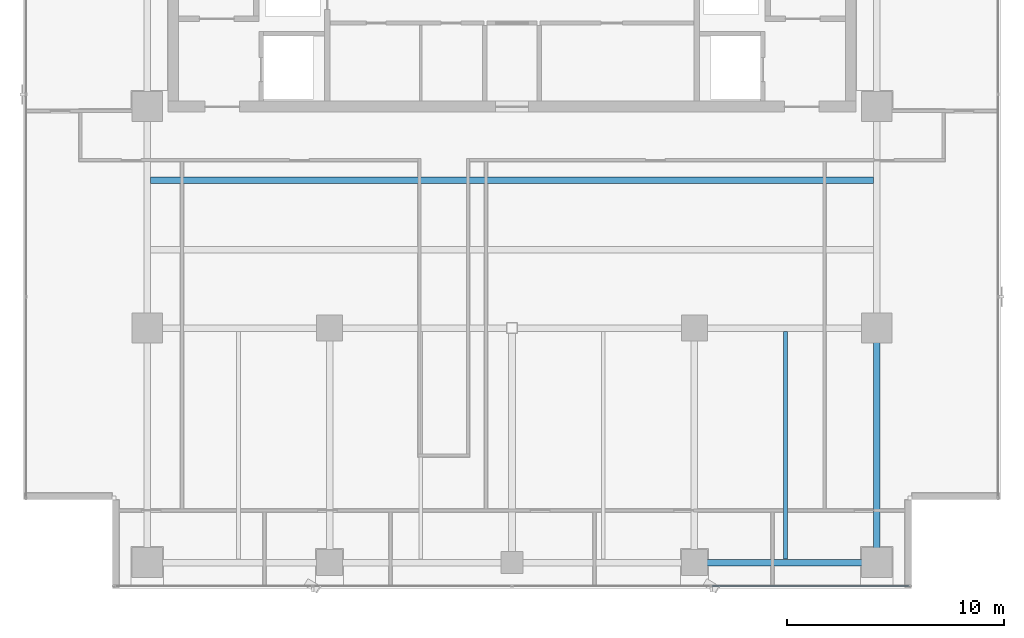
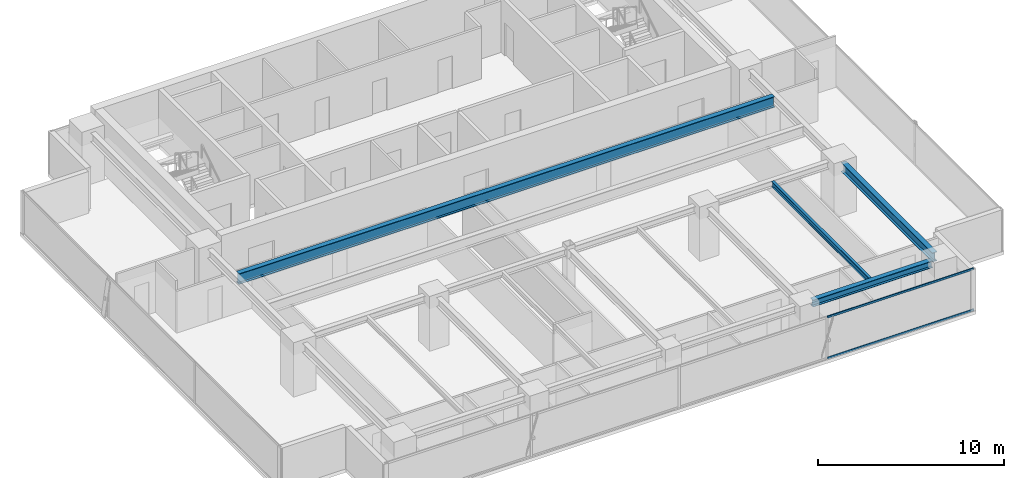
# One storey, part 10 of 26: 4 beams, 2 members, 1 element without a shape of its own.
"""IFC4 building model written with IfcOpenShell, lengths in metres."""

from ifc_helpers import new_model, si_unit, direction, frame, origin, origin_2d, place, context, subcontext, project, spatial, hollow_rectangle, i_section, extrude, source, transform, mapped, material, layer, layer_set, material_profile, profile_set, type_object, element, aggregate, save


model = new_model("IFC4")

# Units and contexts
model_context = context("Model", 3, precision=1e-05, world=origin(), true_north=direction((0.0, 1.0)))
body_context = subcontext(model_context, "Body", "Model", "MODEL_VIEW")
ifc_project = project(units=[si_unit("LENGTHUNIT", "METRE"), si_unit("AREAUNIT", "SQUARE_METRE"), si_unit("VOLUMEUNIT", "CUBIC_METRE"), si_unit("PLANEANGLEUNIT", "RADIAN"), si_unit("MASSUNIT", "GRAM", prefix="KILO")], contexts=[model_context])

# Site, building, storey
site_placement = place(None, origin())
site = spatial("IfcSite", under=ifc_project, at=site_placement, CompositionType="ELEMENT")
building_placement = place(site_placement, origin())
building = spatial("IfcBuilding", under=site, at=building_placement, Name="Sumidabori Civic Tower", CompositionType="ELEMENT")
storey_placement = place(building_placement, frame((0.0, 0.0, 236.0)))
storey = spatial("IfcBuildingStorey", under=building, at=storey_placement, Name="L61", CompositionType="ELEMENT", Elevation=236.0)

# Beams
ifc_material_1 = material(Name="Steel SN490", Category="steel")
ifc_material_profile_1 = material_profile(ifc_material_1, i_section(OverallWidth=0.300048828125, OverallDepth=0.60009765625, WebThickness=0.015380859375, FlangeThickness=0.030029296875, at=origin_2d()), Name="HE 600 B")
ifc_profile_set_1 = profile_set([ifc_material_profile_1], Name="Steel SN490")
beam_type_1 = type_object("IfcBeamType", Name="BM-GIRD-600", PredefinedType="BEAM", material=ifc_profile_set_1)
shared_shape_1 = source(origin(), body_context, "Body", "SweptSolid", [
    extrude(i_section(OverallWidth=0.300048828125, OverallDepth=0.60009765625, WebThickness=0.015380859375, FlangeThickness=0.030029296875, at=origin_2d()), origin(), (0.0, 0.0, 1.0), 9.840087890625),
])
beam_1_placement = place(storey_placement, frame((16.800048828125, -10.320068359375, 3.070068359375), z_axis=(0.0, 1.0, 0.0), x_axis=(-1.0, 0.0, 0.0)))
element("IfcBeam", 1, at=beam_1_placement, inside=storey, type_object=beam_type_1, Name="Primary Girder L61 GY-15", PredefinedType="BEAM", context=body_context, shape_type="MappedRepresentation", body=[
    mapped(shared_shape_1, transform((0.0, 0.0, 0.0), x_axis=(1.0, 0.0, 0.0), y_axis=(0.0, 1.0, 0.0), z_axis=(0.0, 0.0, 1.0), scale=1.0)),
])
ifc_material_profile_2 = material_profile(ifc_material_1, i_section(OverallWidth=0.300048828125, OverallDepth=0.699951171875, WebThickness=0.01708984375, FlangeThickness=0.031982421875, at=origin_2d()), Name="HE 700 B")
ifc_profile_set_2 = profile_set([ifc_material_profile_2], Name="Steel SN490")
beam_type_2 = type_object("IfcBeamType", Name="BM-GIRD-700", PredefinedType="BEAM", material=ifc_profile_set_2)
shared_shape_2 = source(origin(), body_context, "Body", "SweptSolid", [
    extrude(i_section(OverallWidth=0.300048828125, OverallDepth=0.699951171875, WebThickness=0.01708984375, FlangeThickness=0.031982421875, at=origin_2d()), origin(), (0.0, 0.0, 1.0), 33.2998046875),
])
beam_2_placement = place(storey_placement, frame((-16.64990234375, 6.800048828125, 3.02001953125), z_axis=(1.0, 0.0, 0.0), x_axis=(0.0, 1.0, 0.0)))
element("IfcBeam", 2, at=beam_2_placement, inside=storey, type_object=beam_type_2, Name="North Bay Floor Beam L61 JSTN-19", PredefinedType="BEAM", context=body_context, shape_type="MappedRepresentation", body=[
    mapped(shared_shape_2, transform((0.0, 0.0, 0.0), x_axis=(1.0, 0.0, 0.0), y_axis=(0.0, 1.0, 0.0), z_axis=(0.0, 0.0, 1.0), scale=1.0)),
])
ifc_material_profile_3 = material_profile(ifc_material_1, i_section(OverallWidth=0.300048828125, OverallDepth=0.449951171875, WebThickness=0.013916015625, FlangeThickness=0.02587890625, at=origin_2d()), Name="HE 450 B")
ifc_profile_set_3 = profile_set([ifc_material_profile_3], Name="Steel SN490")
beam_type_3 = type_object("IfcBeamType", Name="BM-GIRD-450", PredefinedType="BEAM", material=ifc_profile_set_3)
shared_shape_3 = source(origin(), body_context, "Body", "SweptSolid", [
    extrude(i_section(OverallWidth=0.300048828125, OverallDepth=0.449951171875, WebThickness=0.013916015625, FlangeThickness=0.02587890625, at=origin_2d()), origin(), (0.0, 0.0, 1.0), 7.440185546875),
])
beam_3_placement = place(storey_placement, frame((8.8798828125, -10.800048828125, 3.14501953125), z_axis=(1.0, 0.0, 0.0), x_axis=(0.0, 1.0, 0.0)))
element("IfcBeam", 3, at=beam_3_placement, inside=storey, type_object=beam_type_3, Name="Primary Girder L61 GX-04", PredefinedType="BEAM", context=body_context, shape_type="MappedRepresentation", body=[
    mapped(shared_shape_3, transform((0.0, 0.0, 0.0), x_axis=(1.0, 0.0, 0.0), y_axis=(0.0, 1.0, 0.0), z_axis=(0.0, 0.0, 1.0), scale=1.0)),
])
ifc_material_profile_4 = material_profile(ifc_material_1, i_section(OverallWidth=0.169921875, OverallDepth=0.360107421875, WebThickness=0.008056640625, FlangeThickness=0.0126953125, at=origin_2d()), Name="IPE 360")
ifc_profile_set_4 = profile_set([ifc_material_profile_4], Name="Steel SN490")
beam_type_4 = type_object("IfcBeamType", Name="BM-JST-360", PredefinedType="JOIST", material=ifc_profile_set_4)
shared_shape_4 = source(origin(), body_context, "Body", "SweptSolid", [
    extrude(i_section(OverallWidth=0.169921875, OverallDepth=0.360107421875, WebThickness=0.008056640625, FlangeThickness=0.0126953125, at=origin_2d()), origin(), (0.0, 0.0, 1.0), 10.5),
])
beam_4_placement = place(storey_placement, frame((12.60009765625, -10.64990234375, 3.18994140625), z_axis=(0.0, 1.0, 0.0), x_axis=(-1.0, 0.0, 0.0)))
element("IfcBeam", 4, at=beam_4_placement, inside=storey, type_object=beam_type_4, Name="Upper Lens N-S Floor Joist L61 JSTV-23", PredefinedType="JOIST", context=body_context, shape_type="MappedRepresentation", body=[
    mapped(shared_shape_4, transform((0.0, 0.0, 0.0), x_axis=(1.0, 0.0, 0.0), y_axis=(0.0, 1.0, 0.0), z_axis=(0.0, 0.0, 1.0), scale=1.0)),
])

# Curtain wall, members
ifc_material_2 = material(Name="Anodised Bronze Aluminium AW-6063-T6", Category="aluminium")
ifc_layer = layer(ifc_material_2, 0.179931640625, Name="Anodised Bronze Aluminium AW-6063-T6")
ifc_layer_set = layer_set([ifc_layer], Name="Anodised Bronze Aluminium AW-6063-T6")
curtain_wall_type = type_object("IfcCurtainWallType", Name="CW-SYS-5", PredefinedType="NOTDEFINED", material=ifc_layer_set)
curtain_wall_placement = place(storey_placement, origin())
curtain_wall = element("IfcCurtainWall", 5, at=curtain_wall_placement, inside=storey, type_object=curtain_wall_type, Name="Curtain Wall CW:L61:R01", PredefinedType="NOTDEFINED")
ifc_material_profile_5 = material_profile(ifc_material_2, hollow_rectangle(XDim=0.06005859375, YDim=0.1298828125, WallThickness=0.0048828125, at=origin_2d()), Name="ALU TRANSOM 130x60")
ifc_profile_set_5 = profile_set([ifc_material_profile_5], Name="Anodised Bronze Aluminium AW-6063-T6")
member_type = type_object("IfcMemberType", Name="CW-TRN-130", PredefinedType="USERDEFINED", material=ifc_profile_set_5)
shared_shape_5 = source(origin(), body_context, "Body", "SweptSolid", [
    extrude(hollow_rectangle(XDim=0.06005859375, YDim=0.1298828125, WallThickness=0.0048828125, at=origin_2d()), origin(), (0.0, 0.0, 1.0), 9.094970703125),
])
member_1_placement = place(storey_placement, frame((9.215087890625, -11.8798828125, 0.030029296875), z_axis=(1.0, 0.0, 0.0), x_axis=(0.0, 1.0, 0.0)))
member_1 = element("IfcMember", 6, at=member_1_placement, type_object=member_type, Name="CW-5 transom 4.1", ObjectType="TRANSOM", PredefinedType="USERDEFINED", context=body_context, shape_type="MappedRepresentation", body=[
    mapped(shared_shape_5, transform((0.0, 0.0, 0.0), x_axis=(1.0, 0.0, 0.0), y_axis=(0.0, 1.0, 0.0), z_axis=(0.0, 0.0, 1.0), scale=1.0)),
])
member_2_placement = place(storey_placement, frame((9.215087890625, -11.8798828125, 2.719970703125), z_axis=(1.0, 0.0, 0.0), x_axis=(0.0, 1.0, 0.0)))
member_2 = element("IfcMember", 7, at=member_2_placement, type_object=member_type, Name="CW-5 transom 4.2", ObjectType="TRANSOM", PredefinedType="USERDEFINED", context=body_context, shape_type="MappedRepresentation", body=[
    mapped(shared_shape_5, transform((0.0, 0.0, 0.0), x_axis=(1.0, 0.0, 0.0), y_axis=(0.0, 1.0, 0.0), z_axis=(0.0, 0.0, 1.0), scale=1.0)),
])
aggregate(curtain_wall, [member_1, member_2])

save(model, "model.ifc")
